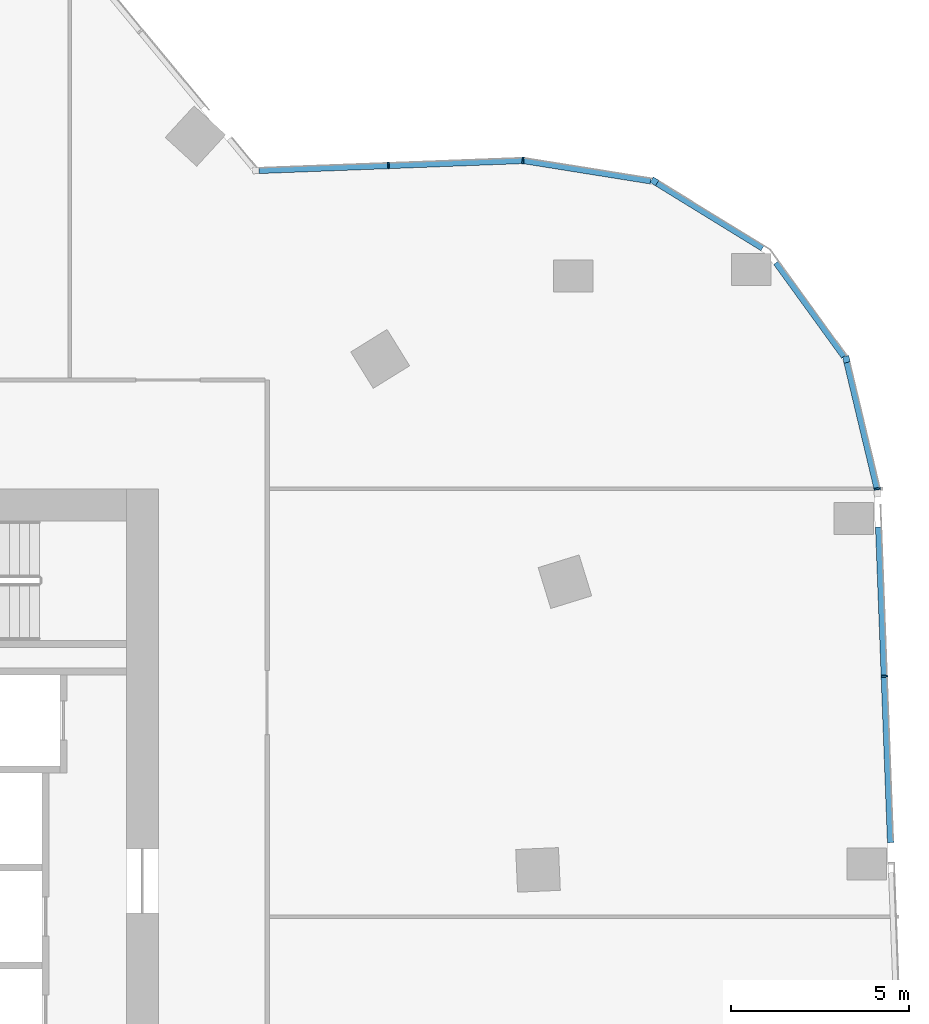
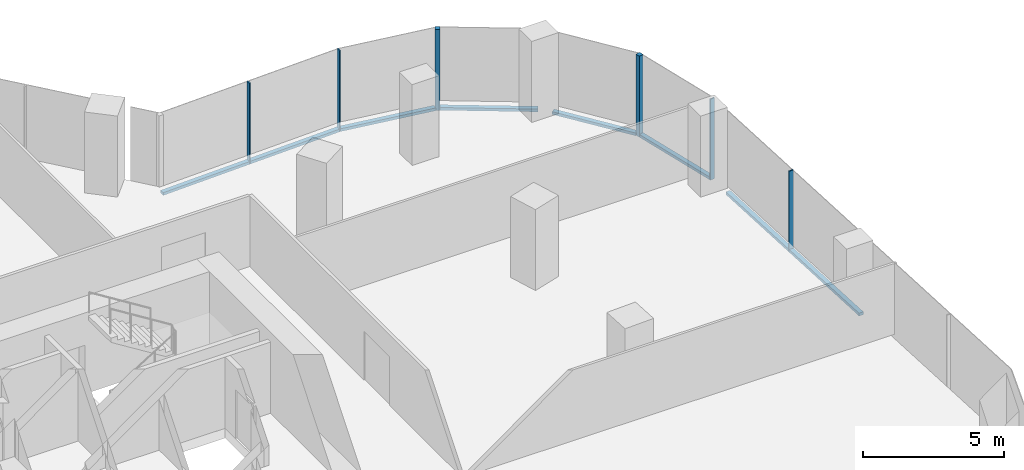
# One storey, part 12 of 24: 12 members, 6 elements without a shape of their own.
"""IFC4 building model written with IfcOpenShell, lengths in metres."""

import ifcopenshell
import ifcopenshell.guid

model = None  # the IFC model being written
_history = None  # IfcOwnerHistory: only IFC2X3 demands one
_inside = {}  # id of a spatial element -> (the spatial element, [elements in it])
_under = {}  # id of a project, library or spatial element -> (it, [spatial elements below it])
_declared = {}  # id of a project -> (the project, [libraries it declares])
_typed = {}  # id of a type object -> (the type object, [elements of that type])
_made_of = {}  # id of a material, layer set ... -> (it, [elements and type objects made of it])


def new_model(schema):
    """Start an empty IFC model of exactly this schema.

    Asked for "IFC4X3", IfcOpenShell would pick the latest addendum, in which some entities
    have other attributes; the version numbers below select the first issue.
    IFC2X3 requires an IfcOwnerHistory on every rooted entity: one is made here for all.
    """
    global model, _history
    if schema == "IFC4X3":
        model = ifcopenshell.file(schema_version=(4, 3, 0, 0))
    else:
        model = ifcopenshell.file(schema=schema)
    _inside.clear()
    _under.clear()
    _declared.clear()
    _typed.clear()
    _made_of.clear()
    _history = None
    if model.schema == "IFC2X3":
        org = make("IfcOrganization", Name="unknown")
        user = make(
            "IfcPersonAndOrganization",
            ThePerson=make("IfcPerson", FamilyName="unknown"),
            TheOrganization=org,
        )
        app = make(
            "IfcApplication",
            ApplicationDeveloper=org,
            Version="unknown",
            ApplicationFullName="unknown",
            ApplicationIdentifier="unknown",
        )
        _history = make(
            "IfcOwnerHistory",
            OwningUser=user,
            OwningApplication=app,
            ChangeAction="ADDED",
            CreationDate=0,
        )
    return model


def make(cls, **values):
    """One entity of the class cls with the attributes given. An attribute that is None is left unset."""
    return model.create_entity(
        cls, **{name: value for name, value in values.items() if value is not None}
    )


def rooted(cls, **values):
    """An entity with a GlobalId (a new one), such as an element, a storey or a relation."""
    return make(cls, GlobalId=ifcopenshell.guid.new(), OwnerHistory=_history, **values)


def si_unit(unit_type, name, prefix=None):
    """IfcSIUnit, for example si_unit("LENGTHUNIT", "METRE", prefix="MILLI")."""
    return make("IfcSIUnit", UnitType=unit_type, Prefix=prefix, Name=name)


def assignment(units):
    """IfcUnitAssignment: the units of a project."""
    return None if units is None else make("IfcUnitAssignment", Units=units)


def point(xyz):
    """IfcCartesianPoint."""
    return None if xyz is None else make("IfcCartesianPoint", Coordinates=xyz)


def direction(xyz):
    """IfcDirection."""
    return None if xyz is None else make("IfcDirection", DirectionRatios=xyz)


def frame(location, z_axis=None, x_axis=None):
    """IfcAxis2Placement3D, a coordinate frame: its origin and axes. An axis left out is left unset."""
    return make(
        "IfcAxis2Placement3D",
        Location=point(location),
        Axis=direction(z_axis),
        RefDirection=direction(x_axis),
    )


def frame_2d(location, x_axis=None):
    """IfcAxis2Placement2D, a coordinate frame in the plane: its origin and x axis."""
    return make(
        "IfcAxis2Placement2D", Location=point(location), RefDirection=direction(x_axis)
    )


def origin():
    """The frame at (0, 0, 0) with its axes left unset."""
    return frame((0.0, 0.0, 0.0))


def origin_2d():
    """The frame at (0, 0) in the plane with its x axis left unset."""
    return frame_2d((0.0, 0.0))


def place(relative_to, where):
    """IfcLocalPlacement: puts the frame where relative to a parent placement (None: the world)."""
    return make(
        "IfcLocalPlacement", PlacementRelTo=relative_to, RelativePlacement=where
    )


def context(
    kind, dimensions, precision=None, world=None, true_north=None, identifier=None
):
    """IfcGeometricRepresentationContext, for example the 3D "Model" context."""
    return make(
        "IfcGeometricRepresentationContext",
        ContextIdentifier=identifier,
        ContextType=kind,
        CoordinateSpaceDimension=dimensions,
        Precision=precision,
        WorldCoordinateSystem=world,
        TrueNorth=true_north,
    )


def subcontext(parent, identifier, kind, view, scale=None):
    """IfcGeometricRepresentationSubContext, for example "Body" below "Model"."""
    return make(
        "IfcGeometricRepresentationSubContext",
        ContextIdentifier=identifier,
        ContextType=kind,
        ParentContext=parent,
        TargetScale=scale,
        TargetView=view,
    )


def project(units=None, contexts=None):
    """IfcProject with its units and contexts."""
    return rooted(
        "IfcProject",
        Name="project",
        RepresentationContexts=contexts,
        UnitsInContext=assignment(units),
    )


def spatial(cls, under=None, at=None, **own):
    """A site, building, storey or space (cls), placed at a placement, below another one or the project."""
    s = rooted(cls, ObjectPlacement=at, **own)
    if under is not None:
        _under.setdefault(under.id(), (under, []))[1].append(s)
    return s


def profile(cls, at=None, kind="AREA", **sizes):
    """A parametric profile (cls). Its sizes go by their IFC names, for example OverallWidth=200.0."""
    return make(cls, ProfileType=kind, Position=at, **sizes)


def rectangle(**sizes):
    """IfcRectangleProfileDef."""
    return profile("IfcRectangleProfileDef", **sizes)


def extrude(swept, where, along, depth):
    """IfcExtrudedAreaSolid: the profile swept, set in the frame where, extruded along a direction by depth."""
    return make(
        "IfcExtrudedAreaSolid",
        SweptArea=swept,
        Position=where,
        ExtrudedDirection=direction(along),
        Depth=depth,
    )


def shape(context_of_items, identifier, shape_type, items):
    """IfcShapeRepresentation: the items that make up one representation, for example the "Body"."""
    return make(
        "IfcShapeRepresentation",
        ContextOfItems=context_of_items,
        RepresentationIdentifier=identifier,
        RepresentationType=shape_type,
        Items=items,
    )


def material(Name=None, Category=None):
    """IfcMaterial."""
    return make("IfcMaterial", Name=Name, Category=Category)


def material_profile(
    of_material, cross_section, Name=None, Category=None, Priority=None
):
    """IfcMaterialProfile: a cross section and its material."""
    return make(
        "IfcMaterialProfile",
        Name=Name,
        Material=of_material,
        Profile=cross_section,
        Priority=Priority,
        Category=Category,
    )


def profile_set(profiles, Name=None, composite=None):
    """IfcMaterialProfileSet."""
    return make(
        "IfcMaterialProfileSet",
        Name=Name,
        MaterialProfiles=profiles,
        CompositeProfile=composite,
    )


def made_of(thing, what):
    """Note that an element or type object is made of a material, layer set ...; save() writes the relation."""
    if what is not None:
        _made_of.setdefault(what.id(), (what, []))[1].append(thing)
    return thing


def type_object(cls, material=None, **own):
    """A type object (cls), such as IfcWallType, which elements share."""
    return made_of(rooted(cls, **own), material)


def element(
    cls,
    number,
    at=None,
    inside=None,
    cuts=None,
    type_object=None,
    material=None,
    context=None,
    identifier="Body",
    shape_type=None,
    held_by="IfcProductDefinitionShape",
    body=None,
    shapes=None,
    **own,
):
    """One element of the class cls, such as IfcWall. Its Tag is "e" and its number.

    at: its placement. inside: the storey or other place that contains it. cuts: it is an
    opening in that element (IfcRelVoidsElement). A single representation is given by context,
    identifier, shape_type and body (its items); several are given by shapes. held_by: the class
    of the entity that holds the representations. save() writes the other relations.
    """
    e = rooted(cls, Tag="e%d" % number, ObjectPlacement=at, **own)
    if body is not None:
        shapes = [shape(context, identifier, shape_type, body)]
    if shapes is not None:
        e.Representation = make(held_by, Representations=shapes)
    if inside is not None:
        _inside.setdefault(inside.id(), (inside, []))[1].append(e)
    if cuts is not None:
        rooted(
            "IfcRelVoidsElement", RelatingBuildingElement=cuts, RelatedOpeningElement=e
        )
    if type_object is not None:
        _typed.setdefault(type_object.id(), (type_object, []))[1].append(e)
    return made_of(e, material)


def aggregate(whole, parts):
    """IfcRelAggregates: a whole, such as a stair, and the parts it consists of."""
    return rooted("IfcRelAggregates", RelatingObject=whole, RelatedObjects=parts)


def save(model, path):
    """Write the relations noted so far, then the file.

    IfcRelAggregates (storeys below a building ...), IfcRelContainedInSpatialStructure (elements
    in a storey), IfcRelDefinesByType, IfcRelAssociatesMaterial and IfcRelDeclares: one each for
    every whole, place, type object, material and project.
    """
    for whole, parts in _under.values():
        aggregate(whole, parts)
    for where, things in _inside.values():
        rooted(
            "IfcRelContainedInSpatialStructure",
            RelatedElements=things,
            RelatingStructure=where,
        )
    for kind, things in _typed.values():
        rooted("IfcRelDefinesByType", RelatedObjects=things, RelatingType=kind)
    for what, things in _made_of.values():
        rooted("IfcRelAssociatesMaterial", RelatedObjects=things, RelatingMaterial=what)
    for by, libraries in _declared.values():
        rooted("IfcRelDeclares", RelatingContext=by, RelatedDefinitions=libraries)
    model.write(path)


model = new_model("IFC4")

# Units and contexts
model_context = context("Model", 3, precision=1e-05, world=origin(), true_north=direction((0.0, 1.0)))
body_context = subcontext(model_context, "Body", "Model", "MODEL_VIEW")
ifc_project = project(units=[si_unit("LENGTHUNIT", "METRE"), si_unit("AREAUNIT", "SQUARE_METRE"), si_unit("VOLUMEUNIT", "CUBIC_METRE"), si_unit("PLANEANGLEUNIT", "RADIAN"), si_unit("MASSUNIT", "GRAM", prefix="KILO")], contexts=[model_context])

# Site, building, storey
site_placement = place(None, origin())
site = spatial("IfcSite", under=ifc_project, at=site_placement, CompositionType="ELEMENT")
building_placement = place(site_placement, origin())
building = spatial("IfcBuilding", under=site, at=building_placement, Name="Orlundy Tower", CompositionType="ELEMENT")
storey_placement = place(building_placement, frame((0.0, 0.0, 177.60009765625)))
storey = spatial("IfcBuildingStorey", under=building, at=storey_placement, Name="L46", CompositionType="ELEMENT", Elevation=177.60009765625)

# Curtain wall, member
ifc_material_1 = material(Name="Aluminium bronze anodised", Category="aluminium")
curtain_wall_type = type_object("IfcCurtainWallType", Name="CW1 wall", PredefinedType="NOTDEFINED", material=ifc_material_1)
curtain_wall_1_placement = place(storey_placement, origin())
curtain_wall_1 = element("IfcCurtainWall", 1, at=curtain_wall_1_placement, inside=storey, type_object=curtain_wall_type, Name="CW1 run 08", PredefinedType="NOTDEFINED")
ifc_material_2 = material(Name="Aluminium bronze anodised", Category="aluminium")
ifc_material_profile_1 = material_profile(ifc_material_2, rectangle(XDim=0.179931640625, YDim=0.179931640625, at=origin_2d()), Name="CW1 corner post 180x180")
ifc_profile_set_1 = profile_set([ifc_material_profile_1], Name="Aluminium bronze anodised")
member_type_1 = type_object("IfcMemberType", Name="CW1 corner post 180x180", PredefinedType="MULLION", material=ifc_profile_set_1)
member_1_placement = place(storey_placement, frame((32.914794921875, 20.62109375, -0.420166015625), z_axis=(0.0, 0.0, 1.0), x_axis=(0.523946886645, 0.85175093776, 0.0)))
member_1 = element("IfcMember", 2, at=member_1_placement, type_object=member_type_1, Name="CW1 mullion 29", PredefinedType="MULLION", context=body_context, shape_type="SweptSolid", body=[
    extrude(rectangle(XDim=0.179931640625, YDim=0.179931640625, at=origin_2d()), origin(), (0.0, 0.0, 1.0), 3.5),
])

curtain_wall_2_placement = place(storey_placement, origin())
curtain_wall_2 = element("IfcCurtainWall", 3, at=curtain_wall_2_placement, inside=storey, type_object=curtain_wall_type, Name="CW1 run 010", PredefinedType="NOTDEFINED")
member_2_placement = place(storey_placement, frame((38.29833984375, 15.62939453125, -0.420166015625), z_axis=(0.0, 0.0, 1.0), x_axis=(0.972704793959, 0.23204608122, 0.0)))
member_2 = element("IfcMember", 4, at=member_2_placement, type_object=member_type_1, Name="CW1 mullion 31", PredefinedType="MULLION", context=body_context, shape_type="SweptSolid", body=[
    extrude(rectangle(XDim=0.179931640625, YDim=0.179931640625, at=origin_2d()), origin(), (0.0, 0.0, 1.0), 3.5),
])

curtain_wall_3_placement = place(storey_placement, origin())
curtain_wall_3 = element("IfcCurtainWall", 5, at=curtain_wall_3_placement, inside=storey, type_object=curtain_wall_type, Name="CW1 run 06", PredefinedType="NOTDEFINED")
ifc_material_3 = material(Name="Aluminium bronze anodised", Category="aluminium")
ifc_material_profile_2 = material_profile(ifc_material_3, rectangle(XDim=0.179931640625, YDim=0.050048828125, at=origin_2d()), Name="CW1 mullion 50x180")
ifc_profile_set_2 = profile_set([ifc_material_profile_2], Name="Aluminium bronze anodised")
member_type_2 = type_object("IfcMemberType", Name="CW1 mullion 50x180", PredefinedType="MULLION", material=ifc_profile_set_2)
member_3_placement = place(storey_placement, frame((25.455078125, 21.0673828125, -0.420166015625), z_axis=(0.0, 0.0, 1.0), x_axis=(-0.037836578056, 0.99928394031, 0.0)))
member_3 = element("IfcMember", 6, at=member_3_placement, type_object=member_type_2, Name="CW1 mullion 27", PredefinedType="MULLION", context=body_context, shape_type="SweptSolid", body=[
    extrude(rectangle(XDim=0.179931640625, YDim=0.050048828125, at=origin_2d()), origin(), (0.0, 0.0, 1.0), 3.5),
])

curtain_wall_4_placement = place(storey_placement, origin())
curtain_wall_4 = element("IfcCurtainWall", 7, at=curtain_wall_4_placement, inside=storey, type_object=curtain_wall_type, Name="CW1 run 07", PredefinedType="NOTDEFINED")
member_4_placement = place(storey_placement, frame((29.2275390625, 21.210205078125, -0.420166015625), z_axis=(0.0, 0.0, 1.0), x_axis=(0.060267073415, 0.998182287892, 0.0)))
member_4 = element("IfcMember", 8, at=member_4_placement, type_object=member_type_2, Name="CW1 mullion 28", PredefinedType="MULLION", context=body_context, shape_type="SweptSolid", body=[
    extrude(rectangle(XDim=0.179931640625, YDim=0.050048828125, at=origin_2d()), origin(), (0.0, 0.0, 1.0), 3.5),
])

# Curtain wall, members
curtain_wall_5_placement = place(storey_placement, origin())
curtain_wall_5 = element("IfcCurtainWall", 9, at=curtain_wall_5_placement, inside=storey, type_object=curtain_wall_type, Name="CW1 run 011", PredefinedType="NOTDEFINED")
member_5_placement = place(storey_placement, frame((39.16455078125, 11.998291015625, -0.420166015625), z_axis=(0.0, 0.0, 1.0), x_axis=(0.990766302188, 0.135580730372, 0.0)))
member_5 = element("IfcMember", 10, at=member_5_placement, type_object=member_type_2, Name="CW1 mullion 32", PredefinedType="MULLION", context=body_context, shape_type="SweptSolid", body=[
    extrude(rectangle(XDim=0.179931640625, YDim=0.050048828125, at=origin_2d()), origin(), (0.0, 0.0, 1.0), 3.5),
])
member_6_placement = place(storey_placement, frame((39.363525390625, 6.7431640625, -0.420166015625), z_axis=(0.0, 0.0, 1.0), x_axis=(0.999284965389, 0.03780949547, 0.0)))
member_6 = element("IfcMember", 11, at=member_6_placement, type_object=member_type_2, Name="CW1 mullion 33", PredefinedType="MULLION", context=body_context, shape_type="SweptSolid", body=[
    extrude(rectangle(XDim=0.179931640625, YDim=0.050048828125, at=origin_2d()), origin(), (0.0, 0.0, 1.0), 3.5),
])

# Member
ifc_material_4 = material(Name="Aluminium bronze anodised", Category="aluminium")
ifc_material_profile_3 = material_profile(ifc_material_4, rectangle(XDim=0.179931640625, YDim=0.1201171875, at=origin_2d()), Name="CW1 transom 180x120")
ifc_profile_set_3 = profile_set([ifc_material_profile_3], Name="Aluminium bronze anodised")
member_type_3 = type_object("IfcMemberType", Name="CW1 transom 180x120", PredefinedType="USERDEFINED", material=ifc_profile_set_3)
member_7_placement = place(storey_placement, frame((21.825927734375, 20.929931640625, -0.360107421875), z_axis=(0.999283957256, 0.037836130506, 0.0), x_axis=(-0.037836130506, 0.999283957256, 0.0)))
member_7 = element("IfcMember", 12, at=member_7_placement, type_object=member_type_3, Name="CW1 transom", ObjectType="TRANSOM", PredefinedType="USERDEFINED", context=body_context, shape_type="SweptSolid", body=[
    extrude(rectangle(XDim=0.179931640625, YDim=0.1201171875, at=origin_2d()), origin(), (0.0, 0.0, 1.0), 7.3818359375),
])

aggregate(curtain_wall_3, [member_3, member_7])

member_8_placement = place(storey_placement, frame((29.252197265625, 21.206298828125, -0.360107421875), z_axis=(0.987475198306, -0.157774309477, 0.0), x_axis=(0.157774309477, 0.987475198306, 0.0)))
member_8 = element("IfcMember", 13, at=member_8_placement, type_object=member_type_3, Name="CW1 transom", ObjectType="TRANSOM", PredefinedType="USERDEFINED", context=body_context, shape_type="SweptSolid", body=[
    extrude(rectangle(XDim=0.179931640625, YDim=0.1201171875, at=origin_2d()), origin(), (0.0, 0.0, 1.0), 3.611572265625),
])

aggregate(curtain_wall_4, [member_4, member_8])

member_9_placement = place(storey_placement, frame((32.991455078125, 20.573974609375, -0.360107421875), z_axis=(0.851737899399, -0.523968081783, 0.0), x_axis=(0.523968081783, 0.851737899399, 0.0)))
member_9 = element("IfcMember", 14, at=member_9_placement, type_object=member_type_3, Name="CW1 transom", ObjectType="TRANSOM", PredefinedType="USERDEFINED", context=body_context, shape_type="SweptSolid", body=[
    extrude(rectangle(XDim=0.179931640625, YDim=0.1201171875, at=origin_2d()), origin(), (0.0, 0.0, 1.0), 3.4755859375),
])

aggregate(curtain_wall_1, [member_1, member_9])

# Curtain wall, member
curtain_wall_6_placement = place(storey_placement, origin())
curtain_wall_6 = element("IfcCurtainWall", 15, at=curtain_wall_6_placement, inside=storey, type_object=curtain_wall_type, Name="CW1 run 09", PredefinedType="NOTDEFINED")
member_10_placement = place(storey_placement, frame((36.33203125, 18.34326171875, -0.360107421875), z_axis=(0.586725338284, -0.809786007174, 0.0), x_axis=(0.809786007174, 0.586725338284, 0.0)))
member_10 = element("IfcMember", 16, at=member_10_placement, type_object=member_type_3, Name="CW1 transom", ObjectType="TRANSOM", PredefinedType="USERDEFINED", context=body_context, shape_type="SweptSolid", body=[
    extrude(rectangle(XDim=0.179931640625, YDim=0.1201171875, at=origin_2d()), origin(), (0.0, 0.0, 1.0), 3.25390625),
])
aggregate(curtain_wall_6, [member_10])

# Member
member_11_placement = place(storey_placement, frame((38.3193359375, 15.541748046875, -0.360107421875), z_axis=(0.232009772326, -0.972713455004, 0.0), x_axis=(0.972713455004, 0.232009772326, 0.0)))
member_11 = element("IfcMember", 17, at=member_11_placement, type_object=member_type_3, Name="CW1 transom", ObjectType="TRANSOM", PredefinedType="USERDEFINED", context=body_context, shape_type="SweptSolid", body=[
    extrude(rectangle(XDim=0.179931640625, YDim=0.1201171875, at=origin_2d()), origin(), (0.0, 0.0, 1.0), 3.61767578125),
])

aggregate(curtain_wall_2, [member_2, member_11])

member_12_placement = place(storey_placement, frame((39.205078125, 10.930419921875, -0.360107421875), z_axis=(0.037809145603, -0.999284978627, 0.0), x_axis=(0.999284978627, 0.037809145603, 0.0)))
member_12 = element("IfcMember", 18, at=member_12_placement, type_object=member_type_3, Name="CW1 transom", ObjectType="TRANSOM", PredefinedType="USERDEFINED", context=body_context, shape_type="SweptSolid", body=[
    extrude(rectangle(XDim=0.179931640625, YDim=0.1201171875, at=origin_2d()), origin(), (0.0, 0.0, 1.0), 8.86572265625),
])

aggregate(curtain_wall_5, [member_5, member_6, member_12])

save(model, "model.ifc")
